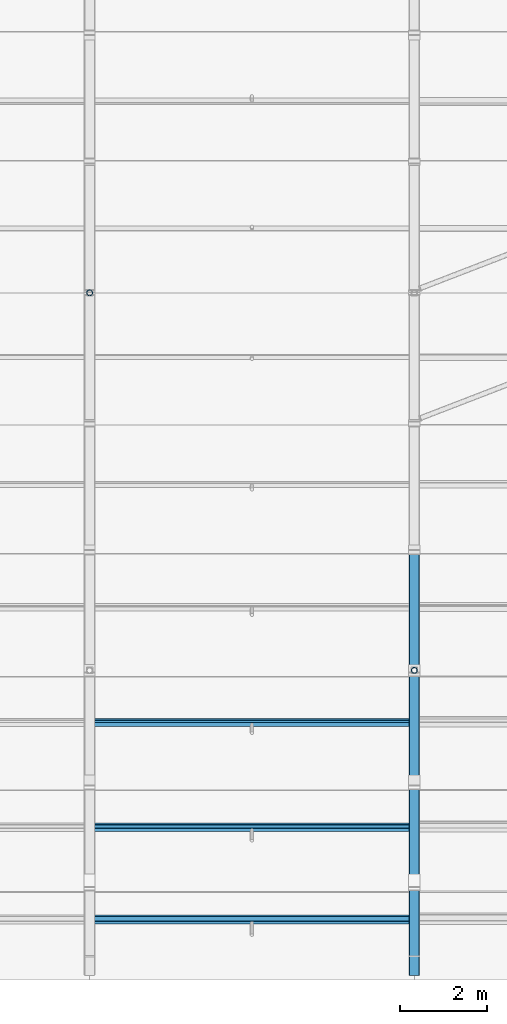
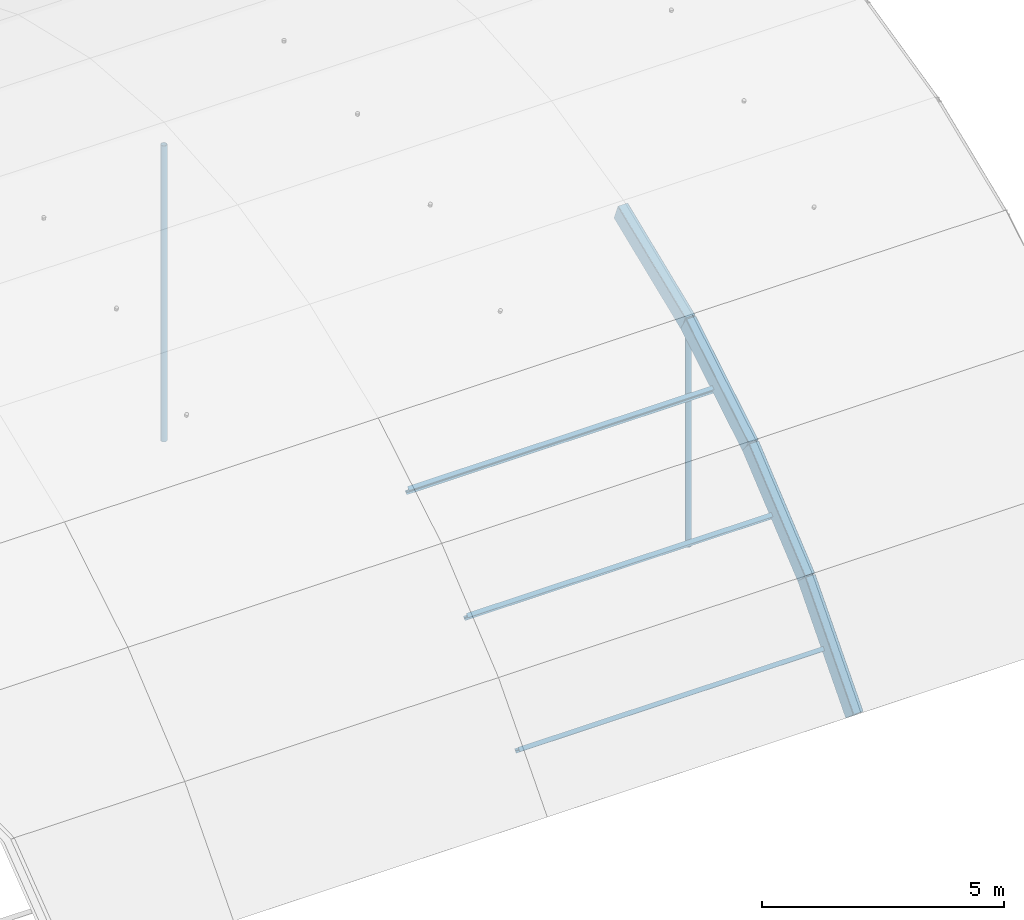
# One storey, part 23 of 77: 5 members, 4 beams.
"""IFC4 building model written with IfcOpenShell, lengths in metres."""

from ifc_helpers import new_model, si_unit, direction, frame, origin, origin_2d, place, context, subcontext, project, spatial, hollow_rectangle, hollow_circle, i_section, extrude, material, material_profile, profile_set, type_object, element, save


model = new_model("IFC4")

# Units and contexts
model_context = context("Model", 3, precision=1e-05, world=origin(), true_north=direction((0.0, 1.0)))
body_context = subcontext(model_context, "Body", "Model", "MODEL_VIEW")
ifc_project = project(units=[si_unit("LENGTHUNIT", "METRE"), si_unit("AREAUNIT", "SQUARE_METRE"), si_unit("VOLUMEUNIT", "CUBIC_METRE"), si_unit("PLANEANGLEUNIT", "RADIAN"), si_unit("MASSUNIT", "GRAM", prefix="KILO")], contexts=[model_context])

# Site, building, storey
site_placement = place(None, origin())
site = spatial("IfcSite", under=ifc_project, at=site_placement, CompositionType="ELEMENT")
building_placement = place(site_placement, origin())
building = spatial("IfcBuilding", under=site, at=building_placement, Name="Yukiwa Park Conservatory and Herbarium", CompositionType="ELEMENT")
storey_placement = place(building_placement, frame((0.0, 0.0, 13.199951171875)))
storey = spatial("IfcBuildingStorey", under=building, at=storey_placement, Name="L03", CompositionType="ELEMENT", Elevation=13.199951171875)

# Beams
ifc_material_1 = material(Name="Steel Q355D", Category="steel")
ifc_material_profile_1 = material_profile(ifc_material_1, hollow_rectangle(XDim=0.25, YDim=0.449951171875, WallThickness=0.013916015625, InnerFilletRadius=0.013916015625, OuterFilletRadius=0.028076171875, at=origin_2d()), Name="RHS 450x250x14")
ifc_profile_set_1 = profile_set([ifc_material_profile_1], Name="Steel Q355D")
beam_type = type_object("IfcBeamType", Name="BM-VLT-ARCH450", PredefinedType="BEAM", material=ifc_profile_set_1)
beam_1_placement = place(storey_placement, frame((52.5, 0.0, -4.199951171875), z_axis=(0.0, 0.659978721293, 0.751284292023), x_axis=(-1.0, 0.0, 0.0)))
element("IfcBeam", 1, at=beam_1_placement, inside=storey, type_object=beam_type, Name="Conservatory barrel vault arch rib 8 chord 1", PredefinedType="BEAM", context=body_context, shape_type="SweptSolid", body=[
    extrude(hollow_rectangle(XDim=0.25, YDim=0.449951171875, WallThickness=0.013916015625, InnerFilletRadius=0.013916015625, OuterFilletRadius=0.028076171875, at=origin_2d()), origin(), (0.0, 0.0, 1.0), 3.0107421875),
])
beam_2_placement = place(storey_placement, frame((52.5, 1.987060546875, -1.93798828125), z_axis=(0.0, 0.767749110539, 0.640750578047), x_axis=(-1.0, 0.0, 0.0)))
element("IfcBeam", 2, at=beam_2_placement, inside=storey, type_object=beam_type, Name="Conservatory barrel vault arch rib 8 chord 2", PredefinedType="BEAM", context=body_context, shape_type="SweptSolid", body=[
    extrude(hollow_rectangle(XDim=0.25, YDim=0.449951171875, WallThickness=0.013916015625, InnerFilletRadius=0.013916015625, OuterFilletRadius=0.028076171875, at=origin_2d()), origin(), (0.0, 0.0, 1.0), 3.010498046875),
])
for number, where, z_axis, x_axis, name in (
    (3, (52.5, 4.29833984375, -0.009033203125), (0.0, 0.857249569488, 0.514901131881), (-1.0, 0.0, 0.0), "Conservatory barrel vault arch rib 8 chord 3"),
    (4, (52.5, 6.87939453125, 1.541259765625), (0.0, 0.926257021224, 0.376892465609), (-1.0, 0.0, 0.0), "Conservatory barrel vault arch rib 8 chord 4"),
):
    element("IfcBeam", number, at=place(storey_placement, frame(where, z_axis=z_axis, x_axis=x_axis)), inside=storey, type_object=beam_type, Name=name, PredefinedType="BEAM", context=body_context, shape_type="SweptSolid", body=[
        extrude(hollow_rectangle(XDim=0.25, YDim=0.449951171875, WallThickness=0.013916015625, InnerFilletRadius=0.013916015625, OuterFilletRadius=0.028076171875, at=origin_2d()), origin(), (0.0, 0.0, 1.0), 3.0107421875),
    ])

# Members
ifc_material_2 = material(Name="Steel Q355D", Category="steel")
ifc_material_profile_2 = material_profile(ifc_material_2, i_section(OverallWidth=0.10009765625, OverallDepth=0.199951171875, WebThickness=0.005615234375, FlangeThickness=0.008056640625, FilletRadius=0.010986328125, at=origin_2d()), Name="HN 200x100x5.5x8")
ifc_profile_set_2 = profile_set([ifc_material_profile_2], Name="Steel Q355D")
member_type_1 = type_object("IfcMemberType", Name="MB-VLT-PURL200", PredefinedType="PURLIN", material=ifc_profile_set_2)
for number, where, z_axis, x_axis, name in (
    (5, (45.0849609375, 1.125732421875, -3.18505859375), (1.0, 0.0, 0.0), (0.0, 0.659967575996, 0.751294082656), "Conservatory vault longitudinal purlin 7.1"),
    (6, (45.0849609375, 3.25537109375, -1.108642578125), (1.0, 0.0, 0.0), (0.0, 0.767751470285, 0.640747750582), "Conservatory vault longitudinal purlin 7.2"),
    (7, (45.0849609375, 5.679443359375, 0.615234375), (1.0, 0.0, 0.0), (0.0, 0.857233812968, 0.514927363717), "Conservatory vault longitudinal purlin 7.3"),
):
    element("IfcMember", number, at=place(storey_placement, frame(where, z_axis=z_axis, x_axis=x_axis)), inside=storey, type_object=member_type_1, Name=name, PredefinedType="PURLIN", context=body_context, shape_type="SweptSolid", body=[
        extrude(i_section(OverallWidth=0.10009765625, OverallDepth=0.199951171875, WebThickness=0.005615234375, FlangeThickness=0.008056640625, FilletRadius=0.010986328125, at=origin_2d()), origin(), (0.0, 0.0, 1.0), 7.330078125),
    ])
ifc_material_3 = material(Name="Steel Q355D", Category="steel")
ifc_material_profile_3 = material_profile(ifc_material_3, hollow_circle(Radius=0.06982421875, WallThickness=0.008056640625, at=origin_2d()), Name="CHS 139.7x8")
ifc_profile_set_3 = profile_set([ifc_material_profile_3], Name="Steel Q355D")
member_type_2 = type_object("IfcMemberType", Name="MB-VLT-STRUT140", PredefinedType="STRUT", material=ifc_profile_set_3)
member_1_placement = place(storey_placement, frame((45.0, 15.60009765625, -4.095947265625), z_axis=(0.0, 0.0, 1.0), x_axis=(1.0, 0.0, 0.0)))
element("IfcMember", 8, at=member_1_placement, inside=storey, type_object=member_type_2, Name="Conservatory vault bowstring hanger 7.6", PredefinedType="STRUT", context=body_context, shape_type="SweptSolid", body=[
    extrude(hollow_circle(Radius=0.06982421875, WallThickness=0.008056640625, at=origin_2d()), origin(), (0.0, 0.0, 1.0), 7.48095703125),
])
member_2_placement = place(storey_placement, frame((52.5, 6.87939453125, -4.095947265625), z_axis=(0.0, 0.0, 1.0), x_axis=(1.0, 0.0, 0.0)))
element("IfcMember", 9, at=member_2_placement, inside=storey, type_object=member_type_2, Name="Conservatory vault bowstring hanger 8.3", PredefinedType="STRUT", context=body_context, shape_type="SweptSolid", body=[
    extrude(hollow_circle(Radius=0.06982421875, WallThickness=0.008056640625, at=origin_2d()), origin(), (0.0, 0.0, 1.0), 5.42236328125),
])

save(model, "model.ifc")
